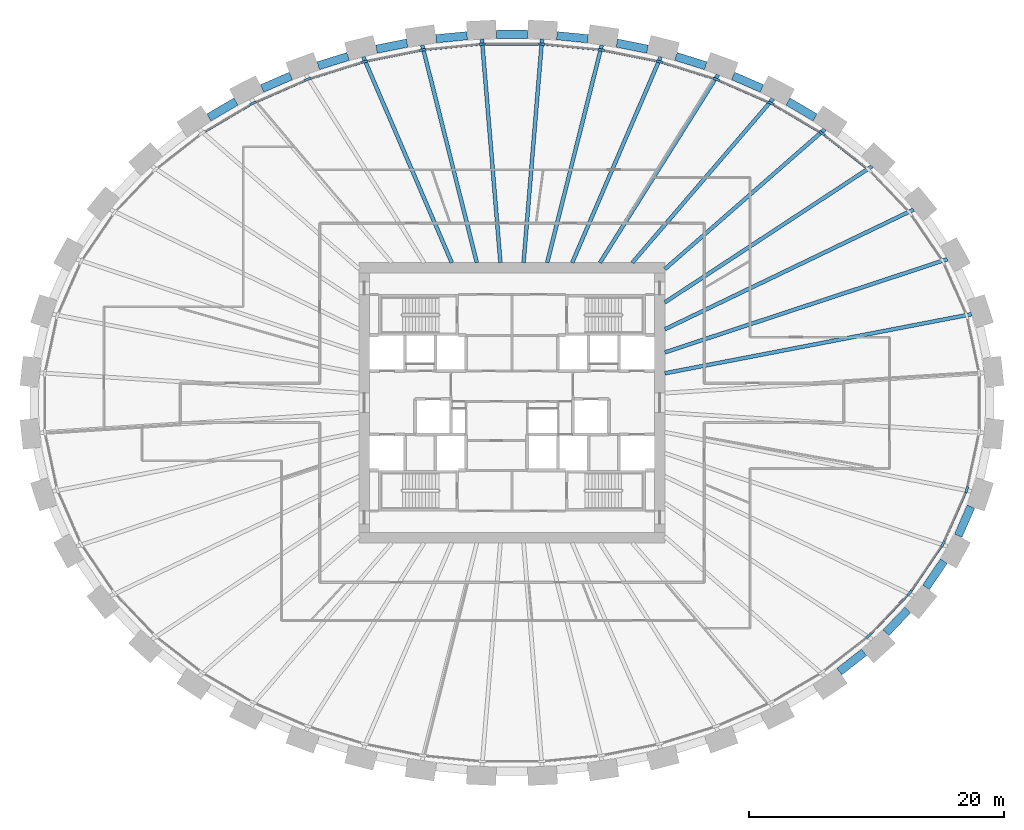
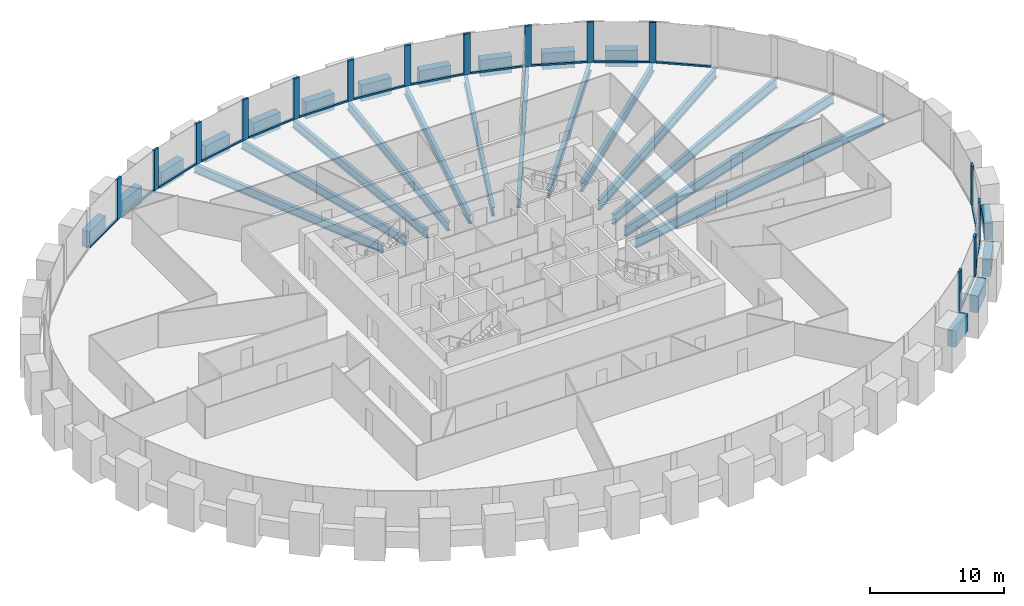
# One storey, part 3 of 10: 30 members, 28 beams, 1 element without a shape of its own.
"""IFC4 building model written with IfcOpenShell, lengths in metres."""

from ifc_helpers import new_model, si_unit, direction, frame, origin, origin_2d, place, context, subcontext, project, spatial, rectangle, i_section, extrude, source, transform, mapped, material, material_profile, profile_set, type_object, element, aggregate, save


model = new_model("IFC4")

# Units and contexts
model_context = context("Model", 3, precision=1e-05, world=origin(), true_north=direction((0.0, 1.0)))
body_context = subcontext(model_context, "Body", "Model", "MODEL_VIEW")
ifc_project = project(units=[si_unit("LENGTHUNIT", "METRE"), si_unit("AREAUNIT", "SQUARE_METRE"), si_unit("VOLUMEUNIT", "CUBIC_METRE"), si_unit("PLANEANGLEUNIT", "RADIAN"), si_unit("MASSUNIT", "GRAM", prefix="KILO")], contexts=[model_context])

# Site, building, storey
site_placement = place(None, origin())
site = spatial("IfcSite", under=ifc_project, at=site_placement, CompositionType="ELEMENT")
building_placement = place(site_placement, origin())
building = spatial("IfcBuilding", under=site, at=building_placement, Name="Embergate Tower", CompositionType="ELEMENT")
storey_placement = place(building_placement, frame((0.0, 0.0, 152.10009765625)))
storey = spatial("IfcBuildingStorey", under=building, at=storey_placement, Name="L33", CompositionType="ELEMENT", Elevation=152.10009765625)

# Beams
ifc_material_1 = material(Name="Concrete C70", Category="concrete")
ifc_material_profile_1 = material_profile(ifc_material_1, rectangle(XDim=0.64990234375, YDim=1.5, at=origin_2d()), Name="RC 650x1500")
ifc_profile_set_1 = profile_set([ifc_material_profile_1], Name="Concrete C70")
beam_type_1 = type_object("IfcBeamType", Name="Spandrel beam RC 650x1500 C70", PredefinedType="BEAM", material=ifc_profile_set_1)
shared_shape_1 = source(origin(), body_context, "Body", "SweptSolid", [
    extrude(rectangle(XDim=0.64990234375, YDim=1.5, at=origin_2d()), origin(), (0.0, 0.0, 1.0), 2.48828125),
])
beam_1_placement = place(storey_placement, frame((35.0419921875, -10.43505859375, 0.0), z_axis=(0.401472379967, 0.91587113074, 0.0), x_axis=(-0.91587113074, 0.401472379967, 0.0)))
element("IfcBeam", 1, at=beam_1_placement, inside=storey, type_object=beam_type_1, Name="SPN-L33-41", PredefinedType="BEAM", context=body_context, shape_type="MappedRepresentation", body=[
    mapped(shared_shape_1, transform((0.0, 0.0, 0.0))),
])
shared_shape_2 = source(origin(), body_context, "Body", "SweptSolid", [
    extrude(rectangle(XDim=0.64990234375, YDim=1.5, at=origin_2d()), origin(), (0.0, 0.0, 1.0), 2.4775390625),
])
beam_2_placement = place(storey_placement, frame((32.51806640625, -14.486083984375, 0.0), z_axis=(0.562159078618, 0.827029123022, 0.0), x_axis=(-0.827029123022, 0.562159078618, 0.0)))
element("IfcBeam", 2, at=beam_2_placement, inside=storey, type_object=beam_type_1, Name="SPN-L33-40", PredefinedType="BEAM", context=body_context, shape_type="MappedRepresentation", body=[
    mapped(shared_shape_2, transform((0.0, 0.0, 0.0))),
])
shared_shape_3 = source(origin(), body_context, "Body", "SweptSolid", [
    extrude(rectangle(XDim=0.64990234375, YDim=1.5, at=origin_2d()), origin(), (0.0, 0.0, 1.0), 2.473388671875),
])
beam_3_placement = place(storey_placement, frame((29.364990234375, -18.06494140625, 0.0), z_axis=(0.69012823406, 0.723687101276, 0.0), x_axis=(-0.723687101276, 0.69012823406, 0.0)))
element("IfcBeam", 3, at=beam_3_placement, inside=storey, type_object=beam_type_1, Name="SPN-L33-39", PredefinedType="BEAM", context=body_context, shape_type="MappedRepresentation", body=[
    mapped(shared_shape_3, transform((0.0, 0.0, 0.0))),
])
shared_shape_4 = source(origin(), body_context, "Body", "SweptSolid", [
    extrude(rectangle(XDim=0.64990234375, YDim=1.5, at=origin_2d()), origin(), (0.0, 0.0, 1.0), 2.466552734375),
])
beam_4_placement = place(storey_placement, frame((25.702880859375, -21.112060546875, 0.0), z_axis=(0.788172909908, 0.615453868367, 0.0), x_axis=(-0.615453868367, 0.788172909908, 0.0)))
element("IfcBeam", 4, at=beam_4_placement, inside=storey, type_object=beam_type_1, Name="SPN-L33-38", PredefinedType="BEAM", context=body_context, shape_type="MappedRepresentation", body=[
    mapped(shared_shape_4, transform((0.0, 0.0, 0.0))),
])
shared_shape_5 = source(origin(), body_context, "Body", "SweptSolid", [
    extrude(rectangle(XDim=0.64990234375, YDim=1.5, at=origin_2d()), origin(), (0.0, 0.0, 1.0), 2.46142578125),
])
for number, where, z_axis, x_axis, name in (
    (5, (23.801025390625, 22.405029296875, 0.0), (-0.86214832468, 0.506655964389, 0.0), (-0.506655964389, -0.86214832468, 0.0), "SPN-L33-05"),
    (6, (-21.678955078125, 23.652099609375, 0.0), (-0.86214832468, -0.506655964389, 0.0), (0.506655964389, -0.86214832468, 0.0), "SPN-L33-15"),
):
    element("IfcBeam", number, at=place(storey_placement, frame(where, z_axis=z_axis, x_axis=x_axis)), inside=storey, type_object=beam_type_1, Name=name, PredefinedType="BEAM", context=body_context, shape_type="MappedRepresentation", body=[
        mapped(shared_shape_5, transform((0.0, 0.0, 0.0))),
    ])
shared_shape_6 = source(origin(), body_context, "Body", "SweptSolid", [
    extrude(rectangle(XDim=0.64990234375, YDim=1.5, at=origin_2d()), origin(), (0.0, 0.0, 1.0), 2.456787109375),
])
for number, where, z_axis, x_axis, name in (
    (7, (19.62109375, 24.679931640625, 0.0), (-0.916257660854, 0.40058943936, 0.0), (-0.40058943936, -0.916257660854, 0.0), "SPN-L33-06"),
    (8, (-17.3701171875, 25.6640625, 0.0), (-0.916257660854, -0.40058943936, 0.0), (0.40058943936, -0.916257660854, 0.0), "SPN-L33-14"),
):
    element("IfcBeam", number, at=place(storey_placement, frame(where, z_axis=z_axis, x_axis=x_axis)), inside=storey, type_object=beam_type_1, Name=name, PredefinedType="BEAM", context=body_context, shape_type="MappedRepresentation", body=[
        mapped(shared_shape_6, transform((0.0, 0.0, 0.0))),
    ])
shared_shape_7 = source(origin(), body_context, "Body", "SweptSolid", [
    extrude(rectangle(XDim=0.64990234375, YDim=1.5, at=origin_2d()), origin(), (0.0, 0.0, 1.0), 2.4541015625),
])
for number, where, z_axis, x_axis, name in (
    (9, (15.215087890625, 26.468017578125, 0.0), (-0.954736297307, 0.29745353016, 0.0), (-0.29745353016, -0.954736297307, 0.0), "SPN-L33-07"),
    (10, (-12.8720703125, 27.197998046875, 0.0), (-0.954736297307, -0.29745353016, 0.0), (0.29745353016, -0.954736297307, 0.0), "SPN-L33-13"),
):
    element("IfcBeam", number, at=place(storey_placement, frame(where, z_axis=z_axis, x_axis=x_axis)), inside=storey, type_object=beam_type_1, Name=name, PredefinedType="BEAM", context=body_context, shape_type="MappedRepresentation", body=[
        mapped(shared_shape_7, transform((0.0, 0.0, 0.0))),
    ])
shared_shape_8 = source(origin(), body_context, "Body", "SweptSolid", [
    extrude(rectangle(XDim=0.64990234375, YDim=1.5, at=origin_2d()), origin(), (0.0, 0.0, 1.0), 2.453125),
])
for number, where, z_axis, x_axis, name in (
    (11, (10.64306640625, 27.76611328125, 0.0), (-0.980431102511, 0.196862523679, 0.0), (-0.196862523679, -0.980431102511, 0.0), "SPN-L33-08"),
    (12, (-8.238037109375, 28.2490234375, 0.0), (-0.980431102511, -0.196862523679, 0.0), (0.196862523679, -0.980431102511, 0.0), "SPN-L33-12"),
):
    element("IfcBeam", number, at=place(storey_placement, frame(where, z_axis=z_axis, x_axis=x_axis)), inside=storey, type_object=beam_type_1, Name=name, PredefinedType="BEAM", context=body_context, shape_type="MappedRepresentation", body=[
        mapped(shared_shape_8, transform((0.0, 0.0, 0.0))),
    ])
shared_shape_9 = source(origin(), body_context, "Body", "SweptSolid", [
    extrude(rectangle(XDim=0.64990234375, YDim=1.5, at=origin_2d()), origin(), (0.0, 0.0, 1.0), 2.45166015625),
])
for number, where, z_axis, x_axis, name in (
    (13, (5.962890625, 28.587890625, 0.0), (-0.995197569904, 0.097886653113, 0.0), (-0.097886653113, -0.995197569904, 0.0), "SPN-L33-09"),
    (14, (-3.52294921875, 28.827880859375, 0.0), (-0.995197569904, -0.097886653113, 0.0), (0.097886653113, -0.995197569904, 0.0), "SPN-L33-11"),
):
    element("IfcBeam", number, at=place(storey_placement, frame(where, z_axis=z_axis, x_axis=x_axis)), inside=storey, type_object=beam_type_1, Name=name, PredefinedType="BEAM", context=body_context, shape_type="MappedRepresentation", body=[
        mapped(shared_shape_9, transform((0.0, 0.0, 0.0))),
    ])
shared_shape_10 = source(origin(), body_context, "Body", "SweptSolid", [
    extrude(rectangle(XDim=0.64990234375, YDim=1.5, at=origin_2d()), origin(), (0.0, 0.0, 1.0), 2.4521484375),
])
beam_5_placement = place(storey_placement, frame((1.22607421875, 28.94091796875, 0.0), z_axis=(-1.0, 0.0, 0.0), x_axis=(0.0, -1.0, 0.0)))
element("IfcBeam", 15, at=beam_5_placement, inside=storey, type_object=beam_type_1, Name="SPN-L33-10", PredefinedType="BEAM", context=body_context, shape_type="MappedRepresentation", body=[
    mapped(shared_shape_10, transform((0.0, 0.0, 0.0))),
])
ifc_material_2 = material(Name="Steel Q355B", Category="steel")
ifc_material_profile_2 = material_profile(ifc_material_2, i_section(OverallWidth=0.300048828125, OverallDepth=0.89990234375, WebThickness=0.01611328125, FlangeThickness=0.028076171875, FilletRadius=0.028076171875, at=origin_2d()), Name="HN 900x300x16x28")
ifc_profile_set_2 = profile_set([ifc_material_profile_2], Name="Steel Q355 grade B")
beam_type_2 = type_object("IfcBeamType", Name="Radial girder HN 900x300x16x28", PredefinedType="BEAM", material=ifc_profile_set_2)
shared_shape_11 = source(origin(), body_context, "Body", "SweptSolid", [
    extrude(i_section(OverallWidth=0.300048828125, OverallDepth=0.89990234375, WebThickness=0.01611328125, FlangeThickness=0.028076171875, FilletRadius=0.028076171875, at=origin_2d()), origin(), (0.0, 0.0, 1.0), 24.52392578125),
])
beam_6_placement = place(storey_placement, frame((36.080078125, 6.958984375, -0.650146484375), z_axis=(-0.981906046022, -0.189368732333, 0.0), x_axis=(0.189368732333, -0.981906046022, 0.0)))
element("IfcBeam", 16, at=beam_6_placement, inside=storey, type_object=beam_type_2, Name="GIR-L33-01", PredefinedType="BEAM", context=body_context, shape_type="MappedRepresentation", body=[
    mapped(shared_shape_11, transform((0.0, 0.0, 0.0))),
])
shared_shape_12 = source(origin(), body_context, "Body", "SweptSolid", [
    extrude(i_section(OverallWidth=0.300048828125, OverallDepth=0.89990234375, WebThickness=0.01611328125, FlangeThickness=0.028076171875, FilletRadius=0.028076171875, at=origin_2d()), origin(), (0.0, 0.0, 1.0), 23.36328125),
])
beam_7_placement = place(storey_placement, frame((34.18798828125, 11.27490234375, -0.650146484375), z_axis=(-0.949694119995, -0.313178987877, 0.0), x_axis=(0.313178987877, -0.949694119995, 0.0)))
element("IfcBeam", 17, at=beam_7_placement, inside=storey, type_object=beam_type_2, Name="GIR-L33-02", PredefinedType="BEAM", context=body_context, shape_type="MappedRepresentation", body=[
    mapped(shared_shape_12, transform((0.0, 0.0, 0.0))),
])
shared_shape_13 = source(origin(), body_context, "Body", "SweptSolid", [
    extrude(i_section(OverallWidth=0.300048828125, OverallDepth=0.89990234375, WebThickness=0.01611328125, FlangeThickness=0.028076171875, FilletRadius=0.028076171875, at=origin_2d()), origin(), (0.0, 0.0, 1.0), 21.680419921875),
])
beam_8_placement = place(storey_placement, frame((31.537109375, 15.172119140625, -0.650146484375), z_axis=(-0.90113839793, -0.433531530315, 0.0), x_axis=(0.433531530315, -0.90113839793, 0.0)))
element("IfcBeam", 18, at=beam_8_placement, inside=storey, type_object=beam_type_2, Name="GIR-L33-03", PredefinedType="BEAM", context=body_context, shape_type="MappedRepresentation", body=[
    mapped(shared_shape_13, transform((0.0, 0.0, 0.0))),
])
shared_shape_14 = source(origin(), body_context, "Body", "SweptSolid", [
    extrude(i_section(OverallWidth=0.300048828125, OverallDepth=0.89990234375, WebThickness=0.01611328125, FlangeThickness=0.028076171875, FilletRadius=0.028076171875, at=origin_2d()), origin(), (0.0, 0.0, 1.0), 19.484130859375),
])
beam_9_placement = place(storey_placement, frame((28.283935546875, 18.5830078125, -0.650146484375), z_axis=(-0.835750168369, -0.549109876137, 0.0), x_axis=(0.549109876137, -0.835750168369, 0.0)))
element("IfcBeam", 19, at=beam_9_placement, inside=storey, type_object=beam_type_2, Name="GIR-L33-04", PredefinedType="BEAM", context=body_context, shape_type="MappedRepresentation", body=[
    mapped(shared_shape_14, transform((0.0, 0.0, 0.0))),
])
ifc_material_profile_3 = material_profile(ifc_material_2, i_section(OverallWidth=0.300048828125, OverallDepth=0.800048828125, WebThickness=0.013916015625, FlangeThickness=0.02587890625, FilletRadius=0.028076171875, at=origin_2d()), Name="HN 800x300x14x26")
ifc_profile_set_3 = profile_set([ifc_material_profile_3], Name="Steel Q355 grade B")
beam_type_3 = type_object("IfcBeamType", Name="Radial girder HN 800x300x14x26", PredefinedType="BEAM", material=ifc_profile_set_3)
shared_shape_15 = source(origin(), body_context, "Body", "SweptSolid", [
    extrude(i_section(OverallWidth=0.300048828125, OverallDepth=0.800048828125, WebThickness=0.013916015625, FlangeThickness=0.02587890625, FilletRadius=0.028076171875, at=origin_2d()), origin(), (0.0, 0.0, 1.0), 16.6953125),
])
beam_10_placement = place(storey_placement, frame((24.56689453125, 21.485107421875, -0.60009765625), z_axis=(-0.752719804108, -0.658341018397, 0.0), x_axis=(0.658341018397, -0.752719804108, 0.0)))
element("IfcBeam", 20, at=beam_10_placement, inside=storey, type_object=beam_type_3, Name="GIR-L33-05", PredefinedType="BEAM", context=body_context, shape_type="MappedRepresentation", body=[
    mapped(shared_shape_15, transform((0.0, 0.0, 0.0))),
])
shared_shape_16 = source(origin(), body_context, "Body", "SweptSolid", [
    extrude(i_section(OverallWidth=0.300048828125, OverallDepth=0.800048828125, WebThickness=0.013916015625, FlangeThickness=0.02587890625, FilletRadius=0.028076171875, at=origin_2d()), origin(), (0.0, 0.0, 1.0), 16.970458984375),
])
beam_11_placement = place(storey_placement, frame((20.501953125, 23.875, -0.60009765625), z_axis=(-0.651477073616, -0.758668321833, 0.0), x_axis=(0.758668321833, -0.651477073616, 0.0)))
element("IfcBeam", 21, at=beam_11_placement, inside=storey, type_object=beam_type_3, Name="GIR-L33-06", PredefinedType="BEAM", context=body_context, shape_type="MappedRepresentation", body=[
    mapped(shared_shape_16, transform((0.0, 0.0, 0.0))),
])
shared_shape_17 = source(origin(), body_context, "Body", "SweptSolid", [
    extrude(i_section(OverallWidth=0.300048828125, OverallDepth=0.800048828125, WebThickness=0.013916015625, FlangeThickness=0.02587890625, FilletRadius=0.028076171875, at=origin_2d()), origin(), (0.0, 0.0, 1.0), 17.433837890625),
])
beam_12_placement = place(storey_placement, frame((16.179931640625, 25.763916015625, -0.60009765625), z_axis=(-0.531834233156, -0.846848480216, 0.0), x_axis=(0.846848480216, -0.531834233156, 0.0)))
element("IfcBeam", 22, at=beam_12_placement, inside=storey, type_object=beam_type_3, Name="GIR-L33-07", PredefinedType="BEAM", context=body_context, shape_type="MappedRepresentation", body=[
    mapped(shared_shape_17, transform((0.0, 0.0, 0.0))),
])
shared_shape_18 = source(origin(), body_context, "Body", "SweptSolid", [
    extrude(i_section(OverallWidth=0.300048828125, OverallDepth=0.800048828125, WebThickness=0.013916015625, FlangeThickness=0.02587890625, FilletRadius=0.028076171875, at=origin_2d()), origin(), (0.0, 0.0, 1.0), 17.59619140625),
])
for number, where, z_axis, x_axis, name in (
    (23, (11.677001953125, 27.166015625, -0.60009765625), (-0.394912057755, -0.918718926898, 0.0), (0.918718926898, -0.394912057755, 0.0), "GIR-L33-08"),
    (24, (-11.677001953125, 27.166015625, -0.60009765625), (0.394912057755, -0.918718926898, 0.0), (0.918718926898, 0.394912057755, 0.0), "GIR-L33-13"),
):
    element("IfcBeam", number, at=place(storey_placement, frame(where, z_axis=z_axis, x_axis=x_axis)), inside=storey, type_object=beam_type_3, Name=name, PredefinedType="BEAM", context=body_context, shape_type="MappedRepresentation", body=[
        mapped(shared_shape_18, transform((0.0, 0.0, 0.0))),
    ])
shared_shape_19 = source(origin(), body_context, "Body", "SweptSolid", [
    extrude(i_section(OverallWidth=0.300048828125, OverallDepth=0.800048828125, WebThickness=0.013916015625, FlangeThickness=0.02587890625, FilletRadius=0.028076171875, at=origin_2d()), origin(), (0.0, 0.0, 1.0), 17.624267578125),
])
for number, where, z_axis, x_axis, name in (
    (25, (7.052001953125, 28.093994140625, -0.60009765625), (-0.24347096124, -0.969908186909, 0.0), (0.969908186909, -0.24347096124, 0.0), "GIR-L33-09"),
    (26, (-7.052001953125, 28.093994140625, -0.60009765625), (0.24347096124, -0.969908186909, 0.0), (0.969908186909, 0.24347096124, 0.0), "GIR-L33-12"),
):
    element("IfcBeam", number, at=place(storey_placement, frame(where, z_axis=z_axis, x_axis=x_axis)), inside=storey, type_object=beam_type_3, Name=name, PredefinedType="BEAM", context=body_context, shape_type="MappedRepresentation", body=[
        mapped(shared_shape_19, transform((0.0, 0.0, 0.0))),
    ])
shared_shape_20 = source(origin(), body_context, "Body", "SweptSolid", [
    extrude(i_section(OverallWidth=0.300048828125, OverallDepth=0.800048828125, WebThickness=0.013916015625, FlangeThickness=0.02587890625, FilletRadius=0.028076171875, at=origin_2d()), origin(), (0.0, 0.0, 1.0), 17.61572265625),
])
for number, where, z_axis, x_axis, name in (
    (27, (2.35888671875, 28.555908203125, -0.60009765625), (-0.0823102465, -0.996606754603, 0.0), (0.996606754603, -0.0823102465, 0.0), "GIR-L33-10"),
    (28, (-2.35888671875, 28.555908203125, -0.60009765625), (0.0823102465, -0.996606754603, 0.0), (0.996606754603, 0.0823102465, 0.0), "GIR-L33-11"),
):
    element("IfcBeam", number, at=place(storey_placement, frame(where, z_axis=z_axis, x_axis=x_axis)), inside=storey, type_object=beam_type_3, Name=name, PredefinedType="BEAM", context=body_context, shape_type="MappedRepresentation", body=[
        mapped(shared_shape_20, transform((0.0, 0.0, 0.0))),
    ])

# Curtain wall, members
ifc_material_3 = material(Name="Aluminium and glass", Category="aluminium")
curtain_wall_type = type_object("IfcCurtainWallType", Name="Recessed office glazing", PredefinedType="NOTDEFINED", material=ifc_material_3)
curtain_wall_placement = place(storey_placement, origin())
curtain_wall = element("IfcCurtainWall", 29, at=curtain_wall_placement, inside=storey, type_object=curtain_wall_type, Name="Recessed office glazing ring", ObjectType="RECESSED OFFICE GLAZING", PredefinedType="USERDEFINED")
ifc_material_4 = material(Name="Aluminium, thermally broken", Category="aluminium")
ifc_material_profile_4 = material_profile(ifc_material_4, rectangle(XDim=0.179931640625, YDim=0.52001953125, at=origin_2d()), Name="AL 520x180")
ifc_profile_set_4 = profile_set([ifc_material_profile_4], Name="Aluminium, thermally broken")
member_type_1 = type_object("IfcMemberType", Name="Office mullion", PredefinedType="MULLION", material=ifc_profile_set_4)
shared_shape_21 = source(origin(), body_context, "Body", "SweptSolid", [
    extrude(rectangle(XDim=0.179931640625, YDim=0.52001953125, at=origin_2d()), origin(), (0.0, 0.0, 1.0), 3.699951171875),
])
member_1_placement = place(storey_placement, frame((24.3486328125, 21.161376953125, 0.0), z_axis=(0.0, 0.0, 1.0), x_axis=(-0.562217618544, -0.826989328467, 0.0)))
member_1 = element("IfcMember", 30, at=member_1_placement, type_object=member_type_1, Name="CW mullion 6", PredefinedType="MULLION", context=body_context, shape_type="MappedRepresentation", body=[
    mapped(shared_shape_21, transform((0.0, 0.0, 0.0))),
])
member_2_placement = place(storey_placement, frame((20.3251953125, 23.52685546875, 0.0), z_axis=(0.0, 0.0, 1.0), x_axis=(-0.454511380526, -0.890740930334, 0.0)))
member_2 = element("IfcMember", 31, at=member_2_placement, type_object=member_type_1, Name="CW mullion 7", PredefinedType="MULLION", context=body_context, shape_type="MappedRepresentation", body=[
    mapped(shared_shape_21, transform((0.0, 0.0, 0.0))),
])
member_3_placement = place(storey_placement, frame((16.044921875, 25.3984375, 0.0), z_axis=(0.0, 0.0, 1.0), x_axis=(-0.349502682851, -0.936935363128, 0.0)))
member_3 = element("IfcMember", 32, at=member_3_placement, type_object=member_type_1, Name="CW mullion 8", PredefinedType="MULLION", context=body_context, shape_type="MappedRepresentation", body=[
    mapped(shared_shape_21, transform((0.0, 0.0, 0.0))),
])
member_4_placement = place(storey_placement, frame((11.581298828125, 26.78857421875, 0.0), z_axis=(0.0, 0.0, 1.0), x_axis=(-0.24731188137, -0.968935928394, 0.0)))
member_4 = element("IfcMember", 33, at=member_4_placement, type_object=member_type_1, Name="CW mullion 9", PredefinedType="MULLION", context=body_context, shape_type="MappedRepresentation", body=[
    mapped(shared_shape_21, transform((0.0, 0.0, 0.0))),
])
member_5_placement = place(storey_placement, frame((6.99560546875, 27.708251953125, 0.0), z_axis=(0.0, 0.0, 1.0), x_axis=(-0.147412382818, -0.989075118174, 0.0)))
member_5 = element("IfcMember", 34, at=member_5_placement, type_object=member_type_1, Name="CW mullion 10", PredefinedType="MULLION", context=body_context, shape_type="MappedRepresentation", body=[
    mapped(shared_shape_21, transform((0.0, 0.0, 0.0))),
])
member_6_placement = place(storey_placement, frame((2.33935546875, 28.166015625, 0.0), z_axis=(0.0, 0.0, 1.0), x_axis=(-0.048971796621, -0.998800161762, 0.0)))
member_6 = element("IfcMember", 35, at=member_6_placement, type_object=member_type_1, Name="CW mullion 11", PredefinedType="MULLION", context=body_context, shape_type="MappedRepresentation", body=[
    mapped(shared_shape_21, transform((0.0, 0.0, 0.0))),
])
member_7_placement = place(storey_placement, frame((-2.33935546875, 28.166015625, 0.0), z_axis=(0.0, 0.0, 1.0), x_axis=(0.048971796621, -0.998800161762, 0.0)))
member_7 = element("IfcMember", 36, at=member_7_placement, type_object=member_type_1, Name="CW mullion 12", PredefinedType="MULLION", context=body_context, shape_type="MappedRepresentation", body=[
    mapped(shared_shape_21, transform((0.0, 0.0, 0.0))),
])
member_8_placement = place(storey_placement, frame((-6.99560546875, 27.708251953125, 0.0), z_axis=(0.0, 0.0, 1.0), x_axis=(0.147412382818, -0.989075118174, 0.0)))
member_8 = element("IfcMember", 37, at=member_8_placement, type_object=member_type_1, Name="CW mullion 13", PredefinedType="MULLION", context=body_context, shape_type="MappedRepresentation", body=[
    mapped(shared_shape_21, transform((0.0, 0.0, 0.0))),
])
member_9_placement = place(storey_placement, frame((-11.581298828125, 26.78857421875, 0.0), z_axis=(0.0, 0.0, 1.0), x_axis=(0.24731188137, -0.968935928394, 0.0)))
member_9 = element("IfcMember", 38, at=member_9_placement, type_object=member_type_1, Name="CW mullion 14", PredefinedType="MULLION", context=body_context, shape_type="MappedRepresentation", body=[
    mapped(shared_shape_21, transform((0.0, 0.0, 0.0))),
])
member_10_placement = place(storey_placement, frame((-16.044921875, 25.3984375, 0.0), z_axis=(0.0, 0.0, 1.0), x_axis=(0.349502682851, -0.936935363128, 0.0)))
member_10 = element("IfcMember", 39, at=member_10_placement, type_object=member_type_1, Name="CW mullion 15", PredefinedType="MULLION", context=body_context, shape_type="MappedRepresentation", body=[
    mapped(shared_shape_21, transform((0.0, 0.0, 0.0))),
])
member_11_placement = place(storey_placement, frame((-20.3251953125, 23.52685546875, 0.0), z_axis=(0.0, 0.0, 1.0), x_axis=(0.454511380526, -0.890740930334, 0.0)))
member_11 = element("IfcMember", 40, at=member_11_placement, type_object=member_type_1, Name="CW mullion 16", PredefinedType="MULLION", context=body_context, shape_type="MappedRepresentation", body=[
    mapped(shared_shape_21, transform((0.0, 0.0, 0.0))),
])
member_12_placement = place(storey_placement, frame((28.023193359375, -18.29345703125, 0.0), z_axis=(0.0, 0.0, 1.0), x_axis=(-0.671226533956, 0.741252278319, 0.0)))
member_12 = element("IfcMember", 41, at=member_12_placement, type_object=member_type_1, Name="CW mullion 40", PredefinedType="MULLION", context=body_context, shape_type="MappedRepresentation", body=[
    mapped(shared_shape_21, transform((0.0, 0.0, 0.0))),
])
member_13_placement = place(storey_placement, frame((31.23486328125, -14.92578125, 0.0), z_axis=(0.0, 0.0, 1.0), x_axis=(-0.777872564355, 0.628422050555, 0.0)))
member_13 = element("IfcMember", 42, at=member_13_placement, type_object=member_type_1, Name="CW mullion 41", PredefinedType="MULLION", context=body_context, shape_type="MappedRepresentation", body=[
    mapped(shared_shape_21, transform((0.0, 0.0, 0.0))),
])
member_14_placement = place(storey_placement, frame((33.846923828125, -11.084716796875, 0.0), z_axis=(0.0, 0.0, 1.0), x_axis=(-0.875001895832, 0.484119491748, 0.0)))
member_14 = element("IfcMember", 43, at=member_14_placement, type_object=member_type_1, Name="CW mullion 42", PredefinedType="MULLION", context=body_context, shape_type="MappedRepresentation", body=[
    mapped(shared_shape_21, transform((0.0, 0.0, 0.0))),
])
member_15_placement = place(storey_placement, frame((35.708984375, -6.8388671875, 0.0), z_axis=(0.0, 0.0, 1.0), x_axis=(-0.951498334951, 0.307653894149, 0.0)))
member_15 = element("IfcMember", 44, at=member_15_placement, type_object=member_type_1, Name="CW mullion 43", PredefinedType="MULLION", context=body_context, shape_type="MappedRepresentation", body=[
    mapped(shared_shape_21, transform((0.0, 0.0, 0.0))),
])
ifc_material_profile_5 = material_profile(ifc_material_4, rectangle(XDim=0.179931640625, YDim=0.14990234375, at=origin_2d()), Name="AL 150x180")
ifc_profile_set_5 = profile_set([ifc_material_profile_5], Name="Aluminium, thermally broken")
member_type_2 = type_object("IfcMemberType", Name="Office sill transom", PredefinedType="USERDEFINED", material=ifc_profile_set_5)
shared_shape_22 = source(origin(), body_context, "Body", "SweptSolid", [
    extrude(rectangle(XDim=0.179931640625, YDim=0.14990234375, at=origin_2d()), origin(), (0.0, 0.0, 1.0), 4.1162109375),
])
member_16_placement = place(storey_placement, frame((33.951416015625, -10.8466796875, 0.074951171875), z_axis=(0.401593425876, 0.915818060694, 0.0), x_axis=(-0.915818060694, 0.401593425876, 0.0)))
member_16 = element("IfcMember", 45, at=member_16_placement, type_object=member_type_2, Name="CW transom 42.1", ObjectType="TRANSOM", PredefinedType="USERDEFINED", context=body_context, shape_type="MappedRepresentation", body=[
    mapped(shared_shape_22, transform((0.0, 0.0, 0.0))),
])
shared_shape_23 = source(origin(), body_context, "Body", "SweptSolid", [
    extrude(rectangle(XDim=0.179931640625, YDim=0.14990234375, at=origin_2d()), origin(), (0.0, 0.0, 1.0), 4.124755859375),
])
member_17_placement = place(storey_placement, frame((31.381103515625, -14.710693359375, 0.074951171875), z_axis=(0.562339161446, 0.826906686092, 0.0), x_axis=(-0.826906686092, 0.562339161446, 0.0)))
member_17 = element("IfcMember", 46, at=member_17_placement, type_object=member_type_2, Name="CW transom 41.1", ObjectType="TRANSOM", PredefinedType="USERDEFINED", context=body_context, shape_type="MappedRepresentation", body=[
    mapped(shared_shape_23, transform((0.0, 0.0, 0.0))),
])
shared_shape_24 = source(origin(), body_context, "Body", "SweptSolid", [
    extrude(rectangle(XDim=0.179931640625, YDim=0.14990234375, at=origin_2d()), origin(), (0.0, 0.0, 1.0), 4.133544921875),
])
member_18_placement = place(storey_placement, frame((28.20263671875, -18.105224609375, 0.074951171875), z_axis=(0.690134325915, 0.723681291864, 0.0), x_axis=(-0.723681291864, 0.690134325915, 0.0)))
member_18 = element("IfcMember", 47, at=member_18_placement, type_object=member_type_2, Name="CW transom 40.1", ObjectType="TRANSOM", PredefinedType="USERDEFINED", context=body_context, shape_type="MappedRepresentation", body=[
    mapped(shared_shape_24, transform((0.0, 0.0, 0.0))),
])
shared_shape_25 = source(origin(), body_context, "Body", "SweptSolid", [
    extrude(rectangle(XDim=0.179931640625, YDim=0.14990234375, at=origin_2d()), origin(), (0.0, 0.0, 1.0), 4.14111328125),
])
member_19_placement = place(storey_placement, frame((27.818115234375, 18.45361328125, 0.074951171875), z_axis=(-0.788312993649, 0.615274429864, 0.0), x_axis=(-0.615274429864, -0.788312993649, 0.0)))
member_19 = element("IfcMember", 48, at=member_19_placement, type_object=member_type_2, Name="CW transom 5.1", ObjectType="TRANSOM", PredefinedType="USERDEFINED", context=body_context, shape_type="MappedRepresentation", body=[
    mapped(shared_shape_25, transform((0.0, 0.0, 0.0))),
])
shared_shape_26 = source(origin(), body_context, "Body", "SweptSolid", [
    extrude(rectangle(XDim=0.179931640625, YDim=0.14990234375, at=origin_2d()), origin(), (0.0, 0.0, 1.0), 4.147216796875),
])
member_20_placement = place(storey_placement, frame((24.12451171875, 21.293212890625, 0.074951171875), z_axis=(-0.862065845043, 0.506796289263, 0.0), x_axis=(-0.506796289263, -0.862065845043, 0.0)))
member_20 = element("IfcMember", 49, at=member_20_placement, type_object=member_type_2, Name="CW transom 6.1", ObjectType="TRANSOM", PredefinedType="USERDEFINED", context=body_context, shape_type="MappedRepresentation", body=[
    mapped(shared_shape_26, transform((0.0, 0.0, 0.0))),
])
member_21_placement = place(storey_placement, frame((-20.54931640625, 23.39501953125, 0.074951171875), z_axis=(-0.862065845043, -0.506796289263, 0.0), x_axis=(0.506796289263, -0.862065845043, 0.0)))
member_21 = element("IfcMember", 50, at=member_21_placement, type_object=member_type_2, Name="CW transom 16.1", ObjectType="TRANSOM", PredefinedType="USERDEFINED", context=body_context, shape_type="MappedRepresentation", body=[
    mapped(shared_shape_26, transform((0.0, 0.0, 0.0))),
])
shared_shape_27 = source(origin(), body_context, "Body", "SweptSolid", [
    extrude(rectangle(XDim=0.179931640625, YDim=0.14990234375, at=origin_2d()), origin(), (0.0, 0.0, 1.0), 4.151611328125),
])
member_22_placement = place(storey_placement, frame((20.087158203125, 23.630859375, 0.074951171875), z_axis=(-0.916236944251, 0.400636820562, 0.0), x_axis=(-0.400636820562, -0.916236944251, 0.0)))
member_22 = element("IfcMember", 51, at=member_22_placement, type_object=member_type_2, Name="CW transom 7.1", ObjectType="TRANSOM", PredefinedType="USERDEFINED", context=body_context, shape_type="MappedRepresentation", body=[
    mapped(shared_shape_27, transform((0.0, 0.0, 0.0))),
])
member_23_placement = place(storey_placement, frame((-16.283203125, 25.294189453125, 0.074951171875), z_axis=(-0.916236944251, -0.400636820562, 0.0), x_axis=(0.400636820562, -0.916236944251, 0.0)))
member_23 = element("IfcMember", 52, at=member_23_placement, type_object=member_type_2, Name="CW transom 15.1", ObjectType="TRANSOM", PredefinedType="USERDEFINED", context=body_context, shape_type="MappedRepresentation", body=[
    mapped(shared_shape_27, transform((0.0, 0.0, 0.0))),
])
shared_shape_28 = source(origin(), body_context, "Body", "SweptSolid", [
    extrude(rectangle(XDim=0.179931640625, YDim=0.14990234375, at=origin_2d()), origin(), (0.0, 0.0, 1.0), 4.155029296875),
])
member_24_placement = place(storey_placement, frame((15.796630859375, 25.4755859375, 0.074951171875), z_axis=(-0.95476079815, 0.29737487842, 0.0), x_axis=(-0.29737487842, -0.95476079815, 0.0)))
member_24 = element("IfcMember", 53, at=member_24_placement, type_object=member_type_2, Name="CW transom 8.1", ObjectType="TRANSOM", PredefinedType="USERDEFINED", context=body_context, shape_type="MappedRepresentation", body=[
    mapped(shared_shape_28, transform((0.0, 0.0, 0.0))),
])
member_25_placement = place(storey_placement, frame((-11.82958984375, 26.711181640625, 0.074951171875), z_axis=(-0.95476079815, -0.29737487842, 0.0), x_axis=(0.29737487842, -0.95476079815, 0.0)))
member_25 = element("IfcMember", 54, at=member_25_placement, type_object=member_type_2, Name="CW transom 14.1", ObjectType="TRANSOM", PredefinedType="USERDEFINED", context=body_context, shape_type="MappedRepresentation", body=[
    mapped(shared_shape_28, transform((0.0, 0.0, 0.0))),
])
shared_shape_29 = source(origin(), body_context, "Body", "SweptSolid", [
    extrude(rectangle(XDim=0.179931640625, YDim=0.14990234375, at=origin_2d()), origin(), (0.0, 0.0, 1.0), 4.156982421875),
])
member_26_placement = place(storey_placement, frame((11.326416015625, 26.839599609375, 0.074951171875), z_axis=(-0.98047889782, 0.196624339617, 0.0), x_axis=(-0.196624339617, -0.98047889782, 0.0)))
member_26 = element("IfcMember", 55, at=member_26_placement, type_object=member_type_2, Name="CW transom 9.1", ObjectType="TRANSOM", PredefinedType="USERDEFINED", context=body_context, shape_type="MappedRepresentation", body=[
    mapped(shared_shape_29, transform((0.0, 0.0, 0.0))),
])
member_27_placement = place(storey_placement, frame((-7.25048828125, 27.656982421875, 0.074951171875), z_axis=(-0.98047889782, -0.196624339617, 0.0), x_axis=(0.196624339617, -0.98047889782, 0.0)))
member_27 = element("IfcMember", 56, at=member_27_placement, type_object=member_type_2, Name="CW transom 13.1", ObjectType="TRANSOM", PredefinedType="USERDEFINED", context=body_context, shape_type="MappedRepresentation", body=[
    mapped(shared_shape_29, transform((0.0, 0.0, 0.0))),
])
shared_shape_30 = source(origin(), body_context, "Body", "SweptSolid", [
    extrude(rectangle(XDim=0.179931640625, YDim=0.14990234375, at=origin_2d()), origin(), (0.0, 0.0, 1.0), 4.15869140625),
])
member_28_placement = place(storey_placement, frame((6.73681640625, 27.733642578125, 0.074951171875), z_axis=(-0.995205470566, 0.097806295066, 0.0), x_axis=(-0.097806295066, -0.995205470566, 0.0)))
member_28 = element("IfcMember", 57, at=member_28_placement, type_object=member_type_2, Name="CW transom 10.1", ObjectType="TRANSOM", PredefinedType="USERDEFINED", context=body_context, shape_type="MappedRepresentation", body=[
    mapped(shared_shape_30, transform((0.0, 0.0, 0.0))),
])
member_29_placement = place(storey_placement, frame((2.079345703125, 28.166015625, 0.074951171875), z_axis=(-1.0, 0.0, 0.0), x_axis=(0.0, -1.0, 0.0)))
member_29 = element("IfcMember", 58, at=member_29_placement, type_object=member_type_2, Name="CW transom 11.1", ObjectType="TRANSOM", PredefinedType="USERDEFINED", context=body_context, shape_type="MappedRepresentation", body=[
    mapped(shared_shape_30, transform((0.0, 0.0, 0.0))),
])
member_30_placement = place(storey_placement, frame((-2.59814453125, 28.140380859375, 0.074951171875), z_axis=(-0.995205470566, -0.097806295066, 0.0), x_axis=(0.097806295066, -0.995205470566, 0.0)))
member_30 = element("IfcMember", 59, at=member_30_placement, type_object=member_type_2, Name="CW transom 12.1", ObjectType="TRANSOM", PredefinedType="USERDEFINED", context=body_context, shape_type="MappedRepresentation", body=[
    mapped(shared_shape_30, transform((0.0, 0.0, 0.0))),
])
aggregate(curtain_wall, [member_1, member_2, member_3, member_4, member_5, member_6, member_7, member_8, member_9, member_10, member_11, member_12, member_13, member_14, member_15, member_19, member_20, member_22, member_24, member_26, member_28, member_29, member_30, member_27, member_25, member_23, member_21, member_18, member_17, member_16])

save(model, "model.ifc")
